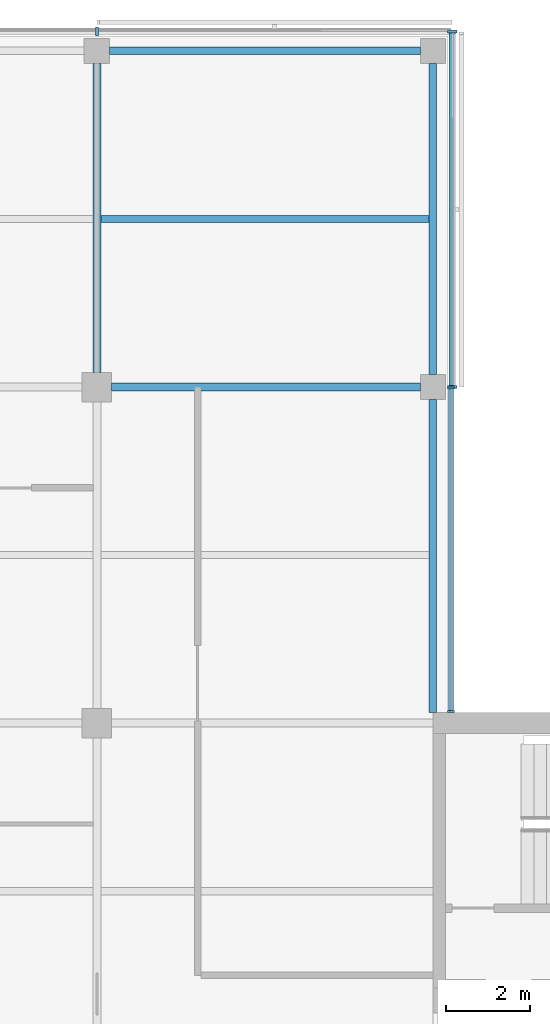
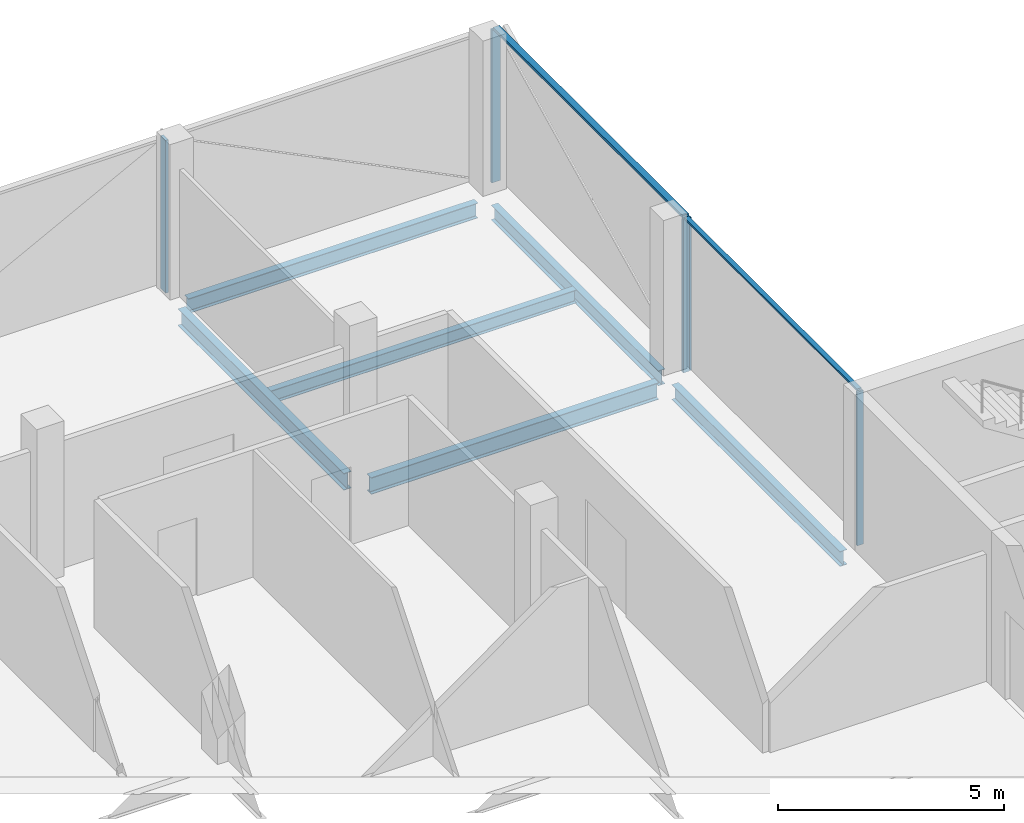
# One storey, part 7 of 15: 7 members, 6 beams, 3 elements without a shape of their own.
"""IFC4 building model written with IfcOpenShell, lengths in metres."""

from ifc_helpers import new_model, si_unit, direction, frame, origin, origin_2d, place, context, subcontext, project, spatial, rectangle, i_section, extrude, material, material_profile, profile_set, type_object, element, aggregate, save


model = new_model("IFC4")

# Units and contexts
model_context = context("Model", 3, precision=1e-05, world=origin(), true_north=direction((0.0, 1.0)))
body_context = subcontext(model_context, "Body", "Model", "MODEL_VIEW")
ifc_project = project(units=[si_unit("LENGTHUNIT", "METRE"), si_unit("AREAUNIT", "SQUARE_METRE"), si_unit("VOLUMEUNIT", "CUBIC_METRE"), si_unit("PLANEANGLEUNIT", "RADIAN"), si_unit("MASSUNIT", "GRAM", prefix="KILO")], contexts=[model_context])

# Site, building, storey
site_placement = place(None, origin())
site = spatial("IfcSite", under=ifc_project, at=site_placement, CompositionType="ELEMENT")
building_placement = place(site_placement, origin())
building = spatial("IfcBuilding", under=site, at=building_placement, Name="Crosswind Convention Tower", CompositionType="ELEMENT")
storey_placement = place(building_placement, frame((0.0, 0.0, 266.10009765625)))
storey = spatial("IfcBuildingStorey", under=building, at=storey_placement, Name="L57", CompositionType="ELEMENT", Elevation=266.10009765625)

# Beams
ifc_material_1 = material(Name="Steel S355", Category="steel")
ifc_material_profile_1 = material_profile(ifc_material_1, i_section(OverallWidth=0.177734375, OverallDepth=0.406494140625, WebThickness=0.0078125, FlangeThickness=0.0126953125, FilletRadius=0.01025390625, at=origin_2d()), Name="UB 406x178x60")
ifc_profile_set_1 = profile_set([ifc_material_profile_1], Name="Steel S355")
beam_type_1 = type_object("IfcBeamType", Name="Edge beam UB 406x178x60", PredefinedType="SPANDREL", material=ifc_profile_set_1)
beam_1_placement = place(storey_placement, frame((129.300048828125, 128.0, -0.50341796875), z_axis=(1.0, 0.0, 0.0), x_axis=(0.0, 1.0, 0.0)))
element("IfcBeam", 1, at=beam_1_placement, inside=storey, type_object=beam_type_1, Name="B15 L57 edge beam 10", PredefinedType="SPANDREL", context=body_context, shape_type="SweptSolid", body=[
    extrude(i_section(OverallWidth=0.177734375, OverallDepth=0.406494140625, WebThickness=0.0078125, FlangeThickness=0.0126953125, FilletRadius=0.01025390625, at=origin_2d()), origin(), (0.0, 0.0, 1.0), 7.39990234375),
])
beam_2_placement = place(storey_placement, frame((137.0, 112.25, -0.50341796875), z_axis=(0.0, 1.0, 0.0), x_axis=(-1.0, 0.0, 0.0)))
element("IfcBeam", 2, at=beam_2_placement, inside=storey, type_object=beam_type_1, Name="B15 L57 edge beam 13", PredefinedType="SPANDREL", context=body_context, shape_type="SweptSolid", body=[
    extrude(i_section(OverallWidth=0.177734375, OverallDepth=0.406494140625, WebThickness=0.0078125, FlangeThickness=0.0126953125, FilletRadius=0.01025390625, at=origin_2d()), origin(), (0.0, 0.0, 1.0), 7.449951171875),
])
beam_3_placement = place(storey_placement, frame((137.0, 120.300048828125, -0.50341796875), z_axis=(0.0, 1.0, 0.0), x_axis=(-1.0, 0.0, 0.0)))
element("IfcBeam", 3, at=beam_3_placement, inside=storey, type_object=beam_type_1, Name="B15 L57 edge beam 14", PredefinedType="SPANDREL", context=body_context, shape_type="SweptSolid", body=[
    extrude(i_section(OverallWidth=0.177734375, OverallDepth=0.406494140625, WebThickness=0.0078125, FlangeThickness=0.0126953125, FilletRadius=0.01025390625, at=origin_2d()), origin(), (0.0, 0.0, 1.0), 7.39990234375),
])
ifc_material_profile_2 = material_profile(ifc_material_1, i_section(OverallWidth=0.18994140625, OverallDepth=0.45361328125, WebThickness=0.008544921875, FlangeThickness=0.0126953125, FilletRadius=0.01025390625, at=origin_2d()), Name="UB 457x191x67")
ifc_profile_set_2 = profile_set([ifc_material_profile_2], Name="Steel S355")
beam_type_2 = type_object("IfcBeamType", Name="Girder UB 457x191x67", PredefinedType="BEAM", material=ifc_profile_set_2)
for number, where, z_axis, x_axis, name in (
    (4, (129.0, 120.35009765625, -0.52685546875), (0.0, 1.0, 0.0), (-1.0, 0.0, 0.0), "B1 L57 girder 22"),
    (5, (129.35009765625, 120.0, -0.52685546875), (1.0, 0.0, 0.0), (0.0, 1.0, 0.0), "B1 L57 girder 24"),
):
    element("IfcBeam", number, at=place(storey_placement, frame(where, z_axis=z_axis, x_axis=x_axis)), inside=storey, type_object=beam_type_2, Name=name, PredefinedType="BEAM", context=body_context, shape_type="SweptSolid", body=[
        extrude(i_section(OverallWidth=0.18994140625, OverallDepth=0.45361328125, WebThickness=0.008544921875, FlangeThickness=0.0126953125, FilletRadius=0.01025390625, at=origin_2d()), origin(), (0.0, 0.0, 1.0), 7.349853515625),
    ])

# Curtain wall, members
ifc_material_2 = material(Name="Aluminium unitised curtain wall", Category="aluminium")
curtain_wall_type_1 = type_object("IfcCurtainWallType", Name="CORE END SLOT WALL 160", PredefinedType="USERDEFINED", material=ifc_material_2)
curtain_wall_1_placement = place(storey_placement, origin())
curtain_wall_1 = element("IfcCurtainWall", 6, at=curtain_wall_1_placement, inside=storey, type_object=curtain_wall_type_1, Name="CW6 L57 N-E.1-1 slot", ObjectType="UNITISED", PredefinedType="USERDEFINED")
ifc_material_3 = material(Name="Aluminium mullion", Category="aluminium")
ifc_material_profile_3 = material_profile(ifc_material_3, rectangle(XDim=0.159912109375, YDim=0.050048828125, at=origin_2d()), Name="AL 160X50")
ifc_profile_set_3 = profile_set([ifc_material_profile_3], Name="Aluminium mullion")
member_type_1 = type_object("IfcMemberType", Name="MULLION 50X160", PredefinedType="MULLION", material=ifc_profile_set_3)
member_1_placement = place(storey_placement, frame((137.429931640625, 112.27490234375, -0.300048828125), z_axis=(0.0, 0.0, 1.0), x_axis=(1.0, 0.0, 0.0)))
member_1 = element("IfcMember", 7, at=member_1_placement, type_object=member_type_1, Name="CW6 mullion 1", PredefinedType="MULLION", context=body_context, shape_type="SweptSolid", body=[
    extrude(rectangle(XDim=0.159912109375, YDim=0.050048828125, at=origin_2d()), origin(), (0.0, 0.0, 1.0), 4.14990234375),
])
member_2_placement = place(storey_placement, frame((137.429931640625, 119.97509765625, -0.300048828125), z_axis=(0.0, 0.0, 1.0), x_axis=(1.0, 0.0, 0.0)))
member_2 = element("IfcMember", 8, at=member_2_placement, type_object=member_type_1, Name="CW6 mullion 2", PredefinedType="MULLION", context=body_context, shape_type="SweptSolid", body=[
    extrude(rectangle(XDim=0.159912109375, YDim=0.050048828125, at=origin_2d()), origin(), (0.0, 0.0, 1.0), 4.14990234375),
])

curtain_wall_type_2 = type_object("IfcCurtainWallType", Name="OFFICE UNITISED WALL 220", PredefinedType="USERDEFINED", material=ifc_material_2)
curtain_wall_2_placement = place(storey_placement, origin())
curtain_wall_2 = element("IfcCurtainWall", 9, at=curtain_wall_2_placement, inside=storey, type_object=curtain_wall_type_2, Name="CW3 L57 N-E 1", ObjectType="UNITISED", PredefinedType="USERDEFINED")
ifc_material_profile_4 = material_profile(ifc_material_3, rectangle(XDim=0.219970703125, YDim=0.070068359375, at=origin_2d()), Name="AL 220X70")
ifc_profile_set_4 = profile_set([ifc_material_profile_4], Name="Aluminium mullion")
member_type_2 = type_object("IfcMemberType", Name="MULLION 70X220", PredefinedType="MULLION", material=ifc_profile_set_4)
member_3_placement = place(storey_placement, frame((137.4599609375, 120.0, -0.300048828125), z_axis=(0.0, 0.0, 1.0), x_axis=(1.0, 0.0, 0.0)))
member_3 = element("IfcMember", 10, at=member_3_placement, type_object=member_type_2, Name="CW3 mullion 1", PredefinedType="MULLION", context=body_context, shape_type="SweptSolid", body=[
    extrude(rectangle(XDim=0.219970703125, YDim=0.070068359375, at=origin_2d()), origin(), (0.0, 0.0, 1.0), 4.1298828125),
])
member_4_placement = place(storey_placement, frame((137.4599609375, 128.4599609375, -0.300048828125), z_axis=(0.0, 0.0, 1.0), x_axis=(1.0, 0.0, 0.0)))
member_4 = element("IfcMember", 11, at=member_4_placement, type_object=member_type_2, Name="CW3 mullion 2", PredefinedType="MULLION", context=body_context, shape_type="SweptSolid", body=[
    extrude(rectangle(XDim=0.219970703125, YDim=0.070068359375, at=origin_2d()), origin(), (0.0, 0.0, 1.0), 4.1298828125),
])

# Curtain wall, member
curtain_wall_3_placement = place(storey_placement, origin())
curtain_wall_3 = element("IfcCurtainWall", 12, at=curtain_wall_3_placement, inside=storey, type_object=curtain_wall_type_2, Name="CW3 L57 N-TIP 1", ObjectType="UNITISED", PredefinedType="USERDEFINED")
member_5_placement = place(storey_placement, frame((129.0, 128.4599609375, -0.300048828125), z_axis=(0.0, 0.0, 1.0), x_axis=(0.0, 1.0, 0.0)))
member_5 = element("IfcMember", 13, at=member_5_placement, type_object=member_type_2, Name="CW3 mullion 2", PredefinedType="MULLION", context=body_context, shape_type="SweptSolid", body=[
    extrude(rectangle(XDim=0.219970703125, YDim=0.070068359375, at=origin_2d()), origin(), (0.0, 0.0, 1.0), 4.1298828125),
])
aggregate(curtain_wall_3, [member_5])

# Beam
ifc_material_profile_5 = material_profile(ifc_material_1, i_section(OverallWidth=0.17138671875, OverallDepth=0.355712890625, WebThickness=0.00732421875, FlangeThickness=0.011474609375, FilletRadius=0.01025390625, at=origin_2d()), Name="UB 356x171x51")
ifc_profile_set_5 = profile_set([ifc_material_profile_5], Name="Steel S355")
beam_type_3 = type_object("IfcBeamType", Name="Secondary beam UB 356x171x51", PredefinedType="JOIST", material=ifc_profile_set_5)
beam_4_placement = place(storey_placement, frame((129.094970703125, 124.0, -0.477783203125), z_axis=(1.0, 0.0, 0.0), x_axis=(0.0, 1.0, 0.0)))
element("IfcBeam", 14, at=beam_4_placement, inside=storey, type_object=beam_type_3, Name="B8 L57 secondary beam 21", PredefinedType="JOIST", context=body_context, shape_type="SweptSolid", body=[
    extrude(i_section(OverallWidth=0.17138671875, OverallDepth=0.355712890625, WebThickness=0.00732421875, FlangeThickness=0.011474609375, FilletRadius=0.01025390625, at=origin_2d()), origin(), (0.0, 0.0, 1.0), 7.816162109375),
])

# Member
ifc_material_4 = material(Name="Aluminium transom", Category="aluminium")
ifc_material_profile_6 = material_profile(ifc_material_4, rectangle(XDim=0.1201171875, YDim=0.050048828125, at=origin_2d()), Name="AL 120X50")
ifc_profile_set_6 = profile_set([ifc_material_profile_6], Name="Aluminium transom")
member_type_3 = type_object("IfcMemberType", Name="TRANSOM 50X120", PredefinedType="USERDEFINED", material=ifc_profile_set_6)
member_6_placement = place(storey_placement, frame((137.429931640625, 112.300048828125, 3.875), z_axis=(0.0, 1.0, 0.0), x_axis=(-1.0, 0.0, 0.0)))
member_6 = element("IfcMember", 15, at=member_6_placement, type_object=member_type_3, Name="CW6 transom", ObjectType="TRANSOM", PredefinedType="USERDEFINED", context=body_context, shape_type="SweptSolid", body=[
    extrude(rectangle(XDim=0.1201171875, YDim=0.050048828125, at=origin_2d()), origin(), (0.0, 0.0, 1.0), 7.64990234375),
])

aggregate(curtain_wall_1, [member_1, member_2, member_6])

ifc_material_profile_7 = material_profile(ifc_material_4, rectangle(XDim=0.159912109375, YDim=0.070068359375, at=origin_2d()), Name="AL 160X70")
ifc_profile_set_7 = profile_set([ifc_material_profile_7], Name="Aluminium transom")
member_type_4 = type_object("IfcMemberType", Name="TRANSOM 70X160", PredefinedType="USERDEFINED", material=ifc_profile_set_7)
member_7_placement = place(storey_placement, frame((137.4599609375, 120.034912109375, 3.864990234375), z_axis=(0.0, 1.0, 0.0), x_axis=(-1.0, 0.0, 0.0)))
member_7 = element("IfcMember", 16, at=member_7_placement, type_object=member_type_4, Name="CW3 transom", ObjectType="TRANSOM", PredefinedType="USERDEFINED", context=body_context, shape_type="SweptSolid", body=[
    extrude(rectangle(XDim=0.159912109375, YDim=0.070068359375, at=origin_2d()), origin(), (0.0, 0.0, 1.0), 8.39013671875),
])

aggregate(curtain_wall_2, [member_3, member_4, member_7])

save(model, "model.ifc")
